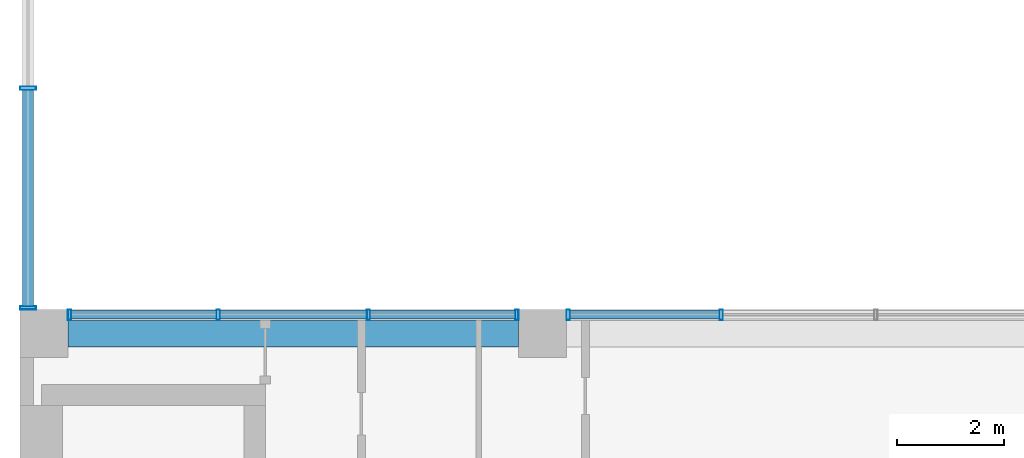
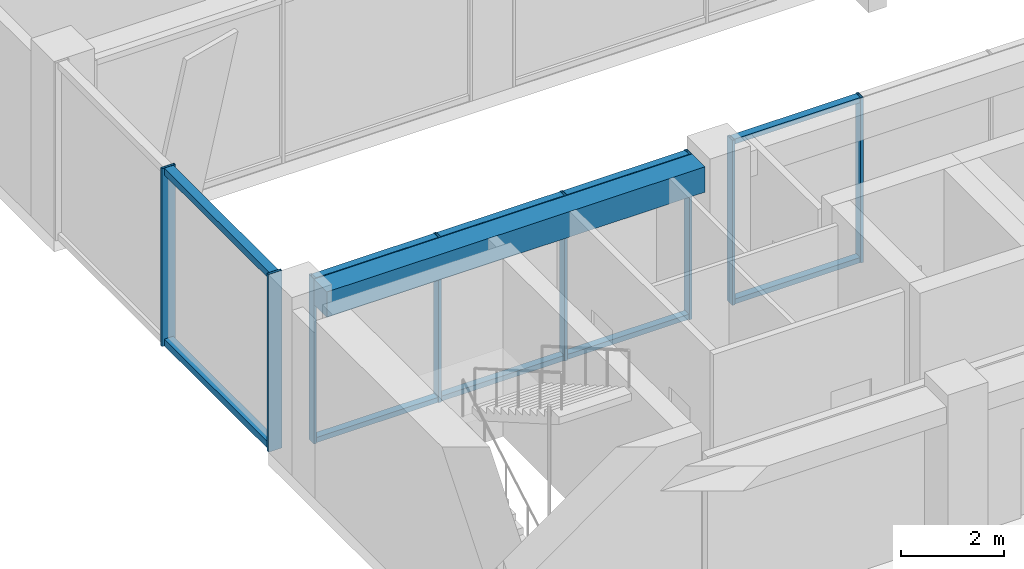
# One storey, part 6 of 38: 18 members, 1 beam, 3 elements without a shape of their own.
"""IFC4 building model written with IfcOpenShell, lengths in metres."""

from ifc_helpers import new_model, si_unit, direction, frame, origin, origin_2d, place, context, subcontext, project, spatial, rectangle, hollow_rectangle, extrude, material, layer, layer_set, material_profile, profile_set, type_object, element, aggregate, save


model = new_model("IFC4")

# Units and contexts
model_context = context("Model", 3, precision=1e-05, world=origin(), true_north=direction((0.0, 1.0)))
body_context = subcontext(model_context, "Body", "Model", "MODEL_VIEW")
ifc_project = project(units=[si_unit("LENGTHUNIT", "METRE"), si_unit("AREAUNIT", "SQUARE_METRE"), si_unit("VOLUMEUNIT", "CUBIC_METRE"), si_unit("PLANEANGLEUNIT", "RADIAN"), si_unit("MASSUNIT", "GRAM", prefix="KILO")], contexts=[model_context])

# Site, building, storey
site_placement = place(None, origin())
site = spatial("IfcSite", under=ifc_project, at=site_placement, CompositionType="ELEMENT")
building_placement = place(site_placement, origin())
building = spatial("IfcBuilding", under=site, at=building_placement, Name="Nzadi Deep Aquarium and Research Tower", CompositionType="ELEMENT")
storey_placement = place(building_placement, frame((0.0, 0.0, 48.699951171875)))
storey = spatial("IfcBuildingStorey", under=building, at=storey_placement, Name="L09", CompositionType="ELEMENT", Elevation=48.699951171875)

# Curtain wall, members
ifc_material_1 = material(Name="Aluminium unitised frame", Category="aluminium")
ifc_layer_1 = layer(ifc_material_1, 0.199951171875)
ifc_layer_set_1 = layer_set([ifc_layer_1], Name="Aluminium unitised frame")
curtain_wall_type_1 = type_object("IfcCurtainWallType", Name="Curtain wall Unitised 200", PredefinedType="NOTDEFINED", material=ifc_layer_set_1)
curtain_wall_1_placement = place(storey_placement, origin())
curtain_wall_1 = element("IfcCurtainWall", 1, at=curtain_wall_1_placement, inside=storey, type_object=curtain_wall_type_1, Name="Unitised curtain wall blade A north L09", PredefinedType="NOTDEFINED")
ifc_material_2 = material(Name="Aluminium unitised frame", Category="aluminium")
ifc_material_profile_1 = material_profile(ifc_material_2, hollow_rectangle(XDim=0.199951171875, YDim=0.06005859375, WallThickness=0.0048828125, at=origin_2d()))
ifc_profile_set_1 = profile_set([ifc_material_profile_1], Name="Aluminium unitised frame")
member_type_1 = type_object("IfcMemberType", Name="Mullion 60x200 Unitised", PredefinedType="MULLION", material=ifc_profile_set_1)
member_1_placement = place(storey_placement, frame((0.72998046875, 18.75, 0.0), z_axis=(0.0, 0.0, 1.0), x_axis=(0.0, 1.0, 0.0)))
member_1 = element("IfcMember", 2, at=member_1_placement, type_object=member_type_1, Name="CW030 mullion 1", PredefinedType="MULLION", context=body_context, shape_type="SweptSolid", body=[
    extrude(hollow_rectangle(XDim=0.199951171875, YDim=0.06005859375, WallThickness=0.0048828125, at=origin_2d()), origin(), (0.0, 0.0, 1.0), 3.900146484375),
])
member_2_placement = place(storey_placement, frame((3.5166015625, 18.75, 0.0), z_axis=(0.0, 0.0, 1.0), x_axis=(0.0, 1.0, 0.0)))
member_2 = element("IfcMember", 3, at=member_2_placement, type_object=member_type_1, Name="CW030 mullion 2", PredefinedType="MULLION", context=body_context, shape_type="SweptSolid", body=[
    extrude(hollow_rectangle(XDim=0.199951171875, YDim=0.06005859375, WallThickness=0.0048828125, at=origin_2d()), origin(), (0.0, 0.0, 1.0), 3.900146484375),
])
member_3_placement = place(storey_placement, frame((6.333251953125, 18.75, 0.0), z_axis=(0.0, 0.0, 1.0), x_axis=(0.0, 1.0, 0.0)))
member_3 = element("IfcMember", 4, at=member_3_placement, type_object=member_type_1, Name="CW030 mullion 3", PredefinedType="MULLION", context=body_context, shape_type="SweptSolid", body=[
    extrude(hollow_rectangle(XDim=0.199951171875, YDim=0.06005859375, WallThickness=0.0048828125, at=origin_2d()), origin(), (0.0, 0.0, 1.0), 3.900146484375),
])
member_4_placement = place(storey_placement, frame((9.1201171875, 18.75, 0.0), z_axis=(0.0, 0.0, 1.0), x_axis=(0.0, 1.0, 0.0)))
member_4 = element("IfcMember", 5, at=member_4_placement, type_object=member_type_1, Name="CW030 mullion 4", PredefinedType="MULLION", context=body_context, shape_type="SweptSolid", body=[
    extrude(hollow_rectangle(XDim=0.199951171875, YDim=0.06005859375, WallThickness=0.0048828125, at=origin_2d()), origin(), (0.0, 0.0, 1.0), 3.900146484375),
])

curtain_wall_2_placement = place(storey_placement, origin())
curtain_wall_2 = element("IfcCurtainWall", 6, at=curtain_wall_2_placement, inside=storey, type_object=curtain_wall_type_1, Name="Unitised curtain wall blade A north L09", PredefinedType="NOTDEFINED")
member_5_placement = place(storey_placement, frame((10.080078125, 18.75, 0.0), z_axis=(0.0, 0.0, 1.0), x_axis=(0.0, 1.0, 0.0)))
member_5 = element("IfcMember", 7, at=member_5_placement, type_object=member_type_1, Name="CW031 mullion 1", PredefinedType="MULLION", context=body_context, shape_type="SweptSolid", body=[
    extrude(hollow_rectangle(XDim=0.199951171875, YDim=0.06005859375, WallThickness=0.0048828125, at=origin_2d()), origin(), (0.0, 0.0, 1.0), 3.900146484375),
])
member_6_placement = place(storey_placement, frame((12.949951171875, 18.75, 0.0), z_axis=(0.0, 0.0, 1.0), x_axis=(0.0, 1.0, 0.0)))
member_6 = element("IfcMember", 8, at=member_6_placement, type_object=member_type_1, Name="CW031 mullion 2", PredefinedType="MULLION", context=body_context, shape_type="SweptSolid", body=[
    extrude(hollow_rectangle(XDim=0.199951171875, YDim=0.06005859375, WallThickness=0.0048828125, at=origin_2d()), origin(), (0.0, 0.0, 1.0), 3.900146484375),
])

ifc_material_3 = material(Name="Aluminium unitised frame wind post", Category="aluminium")
ifc_layer_2 = layer(ifc_material_3, 0.300048828125)
ifc_layer_set_2 = layer_set([ifc_layer_2], Name="Aluminium unitised frame wind post")
curtain_wall_type_2 = type_object("IfcCurtainWallType", Name="Curtain wall Slot End 300", PredefinedType="NOTDEFINED", material=ifc_layer_set_2)
curtain_wall_3_placement = place(storey_placement, origin())
curtain_wall_3 = element("IfcCurtainWall", 9, at=curtain_wall_3_placement, inside=storey, type_object=curtain_wall_type_2, Name="Glazed slot end west L09", PredefinedType="NOTDEFINED")
ifc_material_4 = material(Name="Aluminium unitised frame wind post", Category="aluminium")
ifc_material_profile_2 = material_profile(ifc_material_4, hollow_rectangle(XDim=0.300048828125, YDim=0.06005859375, WallThickness=0.0048828125, at=origin_2d()))
ifc_profile_set_2 = profile_set([ifc_material_profile_2], Name="Aluminium unitised frame wind post")
member_type_2 = type_object("IfcMemberType", Name="Mullion 60x300 Slot End", PredefinedType="MULLION", material=ifc_profile_set_2)
member_7_placement = place(storey_placement, frame((-0.049560546875, 18.8798828125, 0.0), z_axis=(0.0, 0.0, 1.0), x_axis=(-1.0, 0.0, 0.0)))
member_7 = element("IfcMember", 10, at=member_7_placement, type_object=member_type_2, Name="CW209 mullion 1", PredefinedType="MULLION", context=body_context, shape_type="SweptSolid", body=[
    extrude(hollow_rectangle(XDim=0.300048828125, YDim=0.06005859375, WallThickness=0.0048828125, at=origin_2d()), origin(), (0.0, 0.0, 1.0), 4.199951171875),
])
member_8_placement = place(storey_placement, frame((-0.049560546875, 23.0, 0.0), z_axis=(0.0, 0.0, 1.0), x_axis=(-1.0, 0.0, 0.0)))
member_8 = element("IfcMember", 11, at=member_8_placement, type_object=member_type_2, Name="CW209 mullion 2", PredefinedType="MULLION", context=body_context, shape_type="SweptSolid", body=[
    extrude(hollow_rectangle(XDim=0.300048828125, YDim=0.06005859375, WallThickness=0.0048828125, at=origin_2d()), origin(), (0.0, 0.0, 1.0), 4.199951171875),
])

# Beam
ifc_material_5 = material(Name="Concrete C35/45", Category="concrete")
ifc_material_profile_3 = material_profile(ifc_material_5, rectangle(XDim=0.5, YDim=0.60009765625, at=origin_2d()))
ifc_profile_set_3 = profile_set([ifc_material_profile_3], Name="Concrete C35/45")
beam_type = type_object("IfcBeamType", Name="RC 500x600", PredefinedType="BEAM", material=ifc_profile_set_3)
beam_placement = place(storey_placement, frame((0.699951171875, 18.39990234375, 3.60009765625), z_axis=(1.0, 0.0, 0.0), x_axis=(0.0, 1.0, 0.0)))
element("IfcBeam", 12, at=beam_placement, inside=storey, type_object=beam_type, Name="B-Z1-L09-L3-1", PredefinedType="BEAM", context=body_context, shape_type="SweptSolid", body=[
    extrude(rectangle(XDim=0.5, YDim=0.60009765625, at=origin_2d()), origin(), (0.0, 0.0, 1.0), 8.449951171875),
])

# Member
ifc_material_6 = material(Name="Aluminium unitised frame", Category="aluminium")
ifc_material_profile_4 = material_profile(ifc_material_6, hollow_rectangle(XDim=0.159912109375, YDim=0.1201171875, WallThickness=0.0048828125, at=origin_2d()))
ifc_profile_set_4 = profile_set([ifc_material_profile_4], Name="Aluminium unitised frame")
member_type_3 = type_object("IfcMemberType", Name="Transom 120x160 Unitised", PredefinedType="MULLION", material=ifc_profile_set_4)
member_9_placement = place(storey_placement, frame((0.760009765625, 18.75, 0.06005859375), z_axis=(1.0, 0.0, 0.0), x_axis=(0.0, 1.0, 0.0)))
member_9 = element("IfcMember", 13, at=member_9_placement, type_object=member_type_3, Name="CW030 transom 1.1", PredefinedType="MULLION", context=body_context, shape_type="SweptSolid", body=[
    extrude(hollow_rectangle(XDim=0.159912109375, YDim=0.1201171875, WallThickness=0.0048828125, at=origin_2d()), origin(), (0.0, 0.0, 1.0), 2.7265625),
])

member_10_placement = place(storey_placement, frame((0.760009765625, 18.75, 3.840087890625), z_axis=(1.0, 0.0, 0.0), x_axis=(0.0, 1.0, 0.0)))
member_10 = element("IfcMember", 14, at=member_10_placement, type_object=member_type_3, Name="CW030 transom 1.2", PredefinedType="MULLION", context=body_context, shape_type="SweptSolid", body=[
    extrude(hollow_rectangle(XDim=0.159912109375, YDim=0.1201171875, WallThickness=0.0048828125, at=origin_2d()), origin(), (0.0, 0.0, 1.0), 2.7265625),
])

member_11_placement = place(storey_placement, frame((3.546630859375, 18.75, 0.06005859375), z_axis=(1.0, 0.0, 0.0), x_axis=(0.0, 1.0, 0.0)))
member_11 = element("IfcMember", 15, at=member_11_placement, type_object=member_type_3, Name="CW030 transom 2.1", PredefinedType="MULLION", context=body_context, shape_type="SweptSolid", body=[
    extrude(hollow_rectangle(XDim=0.159912109375, YDim=0.1201171875, WallThickness=0.0048828125, at=origin_2d()), origin(), (0.0, 0.0, 1.0), 2.756591796875),
])

member_12_placement = place(storey_placement, frame((3.546630859375, 18.75, 3.840087890625), z_axis=(1.0, 0.0, 0.0), x_axis=(0.0, 1.0, 0.0)))
member_12 = element("IfcMember", 16, at=member_12_placement, type_object=member_type_3, Name="CW030 transom 2.2", PredefinedType="MULLION", context=body_context, shape_type="SweptSolid", body=[
    extrude(hollow_rectangle(XDim=0.159912109375, YDim=0.1201171875, WallThickness=0.0048828125, at=origin_2d()), origin(), (0.0, 0.0, 1.0), 2.756591796875),
])

member_13_placement = place(storey_placement, frame((6.36328125, 18.75, 0.06005859375), z_axis=(1.0, 0.0, 0.0), x_axis=(0.0, 1.0, 0.0)))
member_13 = element("IfcMember", 17, at=member_13_placement, type_object=member_type_3, Name="CW030 transom 3.1", PredefinedType="MULLION", context=body_context, shape_type="SweptSolid", body=[
    extrude(hollow_rectangle(XDim=0.159912109375, YDim=0.1201171875, WallThickness=0.0048828125, at=origin_2d()), origin(), (0.0, 0.0, 1.0), 2.726806640625),
])

member_14_placement = place(storey_placement, frame((6.36328125, 18.75, 3.840087890625), z_axis=(1.0, 0.0, 0.0), x_axis=(0.0, 1.0, 0.0)))
member_14 = element("IfcMember", 18, at=member_14_placement, type_object=member_type_3, Name="CW030 transom 3.2", PredefinedType="MULLION", context=body_context, shape_type="SweptSolid", body=[
    extrude(hollow_rectangle(XDim=0.159912109375, YDim=0.1201171875, WallThickness=0.0048828125, at=origin_2d()), origin(), (0.0, 0.0, 1.0), 2.726806640625),
])

aggregate(curtain_wall_1, [member_1, member_2, member_3, member_4, member_9, member_10, member_11, member_12, member_13, member_14])

member_15_placement = place(storey_placement, frame((10.110107421875, 18.75, 0.06005859375), z_axis=(1.0, 0.0, 0.0), x_axis=(0.0, 1.0, 0.0)))
member_15 = element("IfcMember", 19, at=member_15_placement, type_object=member_type_3, Name="CW031 transom 1.1", PredefinedType="MULLION", context=body_context, shape_type="SweptSolid", body=[
    extrude(hollow_rectangle(XDim=0.159912109375, YDim=0.1201171875, WallThickness=0.0048828125, at=origin_2d()), origin(), (0.0, 0.0, 1.0), 2.809814453125),
])

member_16_placement = place(storey_placement, frame((10.110107421875, 18.75, 3.840087890625), z_axis=(1.0, 0.0, 0.0), x_axis=(0.0, 1.0, 0.0)))
member_16 = element("IfcMember", 20, at=member_16_placement, type_object=member_type_3, Name="CW031 transom 1.2", PredefinedType="MULLION", context=body_context, shape_type="SweptSolid", body=[
    extrude(hollow_rectangle(XDim=0.159912109375, YDim=0.1201171875, WallThickness=0.0048828125, at=origin_2d()), origin(), (0.0, 0.0, 1.0), 2.809814453125),
])

aggregate(curtain_wall_2, [member_5, member_6, member_15, member_16])

ifc_material_7 = material(Name="Aluminium unitised frame wind post", Category="aluminium")
ifc_material_profile_5 = material_profile(ifc_material_7, hollow_rectangle(XDim=0.199951171875, YDim=0.159912109375, WallThickness=0.0048828125, at=origin_2d()))
ifc_profile_set_5 = profile_set([ifc_material_profile_5], Name="Aluminium unitised frame wind post")
member_type_4 = type_object("IfcMemberType", Name="Transom 160x200 Slot End", PredefinedType="MULLION", material=ifc_profile_set_5)
member_17_placement = place(storey_placement, frame((-0.050048828125, 18.909912109375, 0.080078125), z_axis=(0.0, 1.0, 0.0), x_axis=(-1.0, 0.0, 0.0)))
member_17 = element("IfcMember", 21, at=member_17_placement, type_object=member_type_4, Name="CW209 transom 1.1", PredefinedType="MULLION", context=body_context, shape_type="SweptSolid", body=[
    extrude(hollow_rectangle(XDim=0.199951171875, YDim=0.159912109375, WallThickness=0.0048828125, at=origin_2d()), origin(), (0.0, 0.0, 1.0), 4.06005859375),
])

member_18_placement = place(storey_placement, frame((-0.050048828125, 18.909912109375, 4.1201171875), z_axis=(0.0, 1.0, 0.0), x_axis=(-1.0, 0.0, 0.0)))
member_18 = element("IfcMember", 22, at=member_18_placement, type_object=member_type_4, Name="CW209 transom 1.2", PredefinedType="MULLION", context=body_context, shape_type="SweptSolid", body=[
    extrude(hollow_rectangle(XDim=0.199951171875, YDim=0.159912109375, WallThickness=0.0048828125, at=origin_2d()), origin(), (0.0, 0.0, 1.0), 4.06005859375),
])

aggregate(curtain_wall_3, [member_7, member_8, member_17, member_18])

save(model, "model.ifc")
